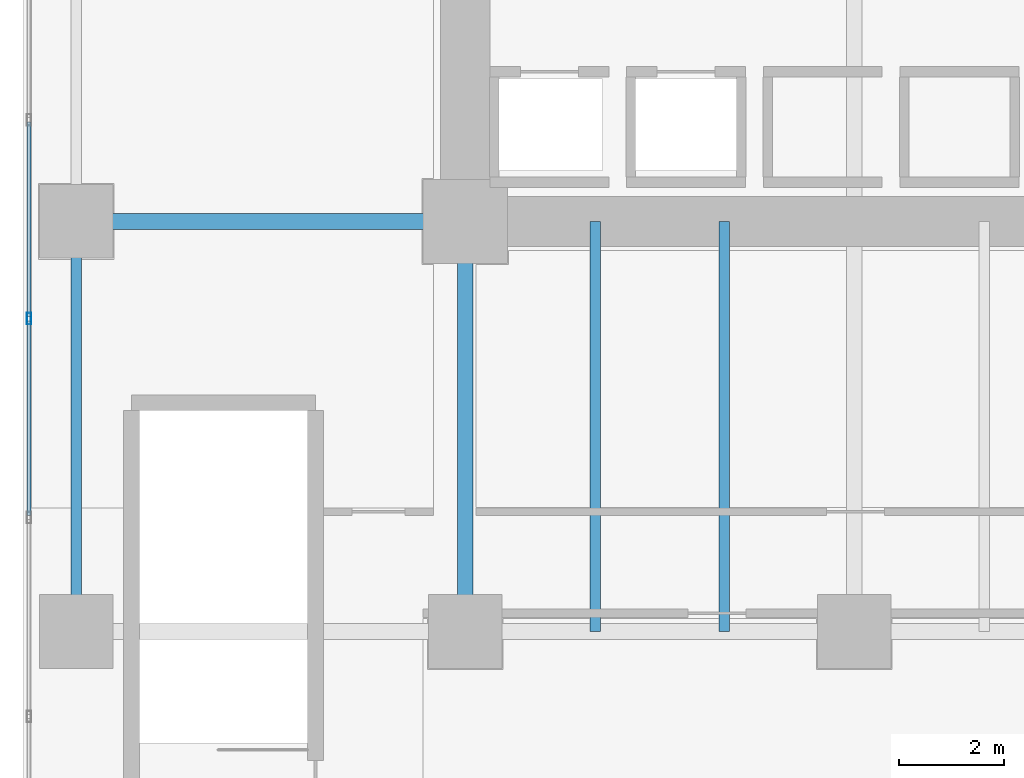
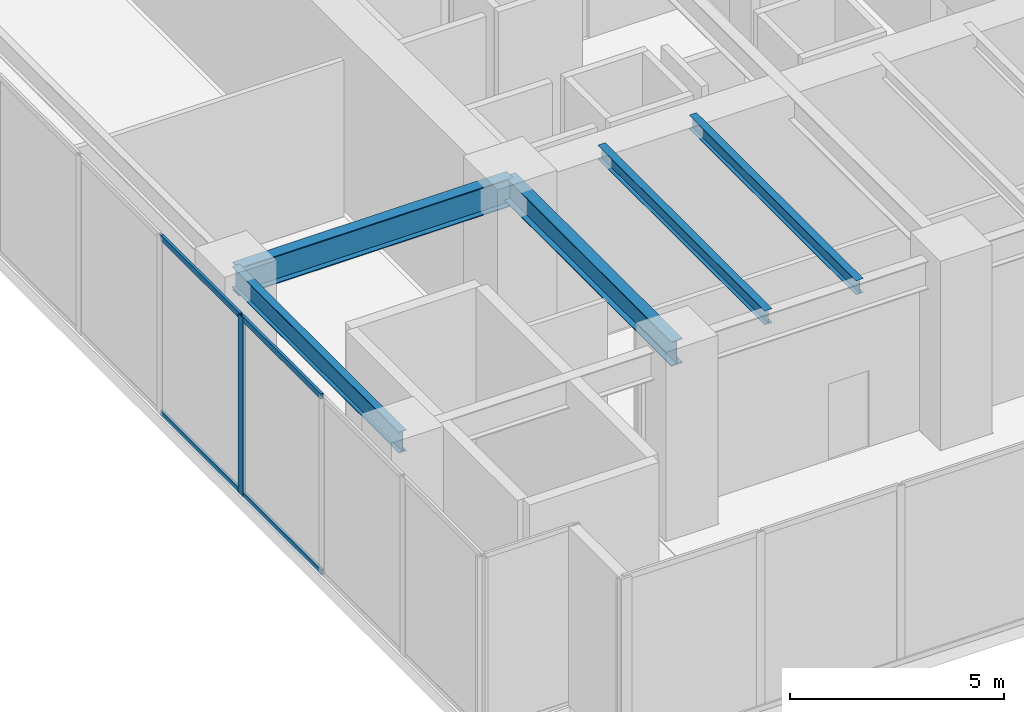
# One storey, part 3 of 35: 5 beams, 5 members, 1 element without a shape of its own.
"""IFC4 building model written with IfcOpenShell, lengths in metres."""

from ifc_helpers import new_model, si_unit, direction, frame, origin, origin_2d, place, context, subcontext, project, spatial, hollow_rectangle, i_section, extrude, source, transform, mapped, material, layer, layer_set, material_profile, profile_set, type_object, type_shapes, element, aggregate, save


model = new_model("IFC4")

# Units and contexts
model_context = context("Model", 3, precision=1e-05, world=origin(), true_north=direction((0.0, 1.0)))
body_context = subcontext(model_context, "Body", "Model", "MODEL_VIEW")
ifc_project = project(units=[si_unit("LENGTHUNIT", "METRE"), si_unit("AREAUNIT", "SQUARE_METRE"), si_unit("VOLUMEUNIT", "CUBIC_METRE"), si_unit("PLANEANGLEUNIT", "RADIAN"), si_unit("MASSUNIT", "GRAM", prefix="KILO")], contexts=[model_context])

# Site, building, storey
site_placement = place(None, origin())
site = spatial("IfcSite", under=ifc_project, at=site_placement, CompositionType="ELEMENT")
building_placement = place(site_placement, origin())
building = spatial("IfcBuilding", under=site, at=building_placement, Name="Haelvirn Gate Laboratories", CompositionType="ELEMENT")
storey_placement = place(building_placement, frame((0.0, 0.0, 19.800048828125)))
storey = spatial("IfcBuildingStorey", under=building, at=storey_placement, Name="L05", CompositionType="ELEMENT", Elevation=19.800048828125)

# Beams
ifc_material_1 = material(Name="Steel SM420", Category="steel")
ifc_material_profile_1 = material_profile(ifc_material_1, i_section(OverallWidth=0.300048828125, OverallDepth=0.800048828125, WebThickness=0.013916015625, FlangeThickness=0.02587890625, at=origin_2d()), Name="H-800x300x14x26")
ifc_profile_set_1 = profile_set([ifc_material_profile_1], Name="Steel SM420")
beam_type_1 = type_object("IfcBeamType", Name="BM-G-800", PredefinedType="BEAM", material=ifc_profile_set_1)
shared_shape_1 = source(origin(), body_context, "Body", "SweptSolid", [
    extrude(i_section(OverallWidth=0.300048828125, OverallDepth=0.800048828125, WebThickness=0.013916015625, FlangeThickness=0.02587890625, at=origin_2d()), origin(), (0.0, 0.0, 1.0), 7.39990234375),
])
type_shapes(beam_type_1, [shared_shape_1])
beam_1_placement = place(storey_placement, frame((0.0, 14.800048828125, 4.679931640625), z_axis=(1.0, 0.0, 0.0), x_axis=(0.0, 1.0, 0.0)))
element("IfcBeam", 1, at=beam_1_placement, inside=storey, type_object=beam_type_1, Name="L05 Primary Girder Y14.8 (0.0-7.4)", PredefinedType="BEAM", context=body_context, shape_type="MappedRepresentation", body=[
    mapped(shared_shape_1, transform((0.0, 0.0, 0.0), scale=1.0)),
])
ifc_material_2 = material(Name="Steel SM355", Category="steel")
ifc_material_profile_2 = material_profile(ifc_material_2, i_section(OverallWidth=0.199951171875, OverallDepth=0.60009765625, WebThickness=0.010986328125, FlangeThickness=0.01708984375, at=origin_2d()), Name="H-600x200x11x17")
ifc_profile_set_2 = profile_set([ifc_material_profile_2], Name="Steel SM355")
beam_type_2 = type_object("IfcBeamType", Name="BM-SP-600", PredefinedType="SPANDREL", material=ifc_profile_set_2)
shared_shape_2 = source(origin(), body_context, "Body", "SweptSolid", [
    extrude(i_section(OverallWidth=0.199951171875, OverallDepth=0.60009765625, WebThickness=0.010986328125, FlangeThickness=0.01708984375, at=origin_2d()), origin(), (0.0, 0.0, 1.0), 7.800048828125),
])
type_shapes(beam_type_2, [shared_shape_2])
beam_2_placement = place(storey_placement, frame((0.0, 7.0, 4.780029296875), z_axis=(0.0, 1.0, 0.0), x_axis=(-1.0, 0.0, 0.0)))
element("IfcBeam", 2, at=beam_2_placement, inside=storey, type_object=beam_type_2, Name="L05 Perimeter Spandrel X0.0 (7.0-14.8)", PredefinedType="SPANDREL", context=body_context, shape_type="MappedRepresentation", body=[
    mapped(shared_shape_2, transform((0.0, 0.0, 0.0), scale=1.0)),
])
ifc_material_profile_3 = material_profile(ifc_material_2, i_section(OverallWidth=0.199951171875, OverallDepth=0.39990234375, WebThickness=0.008056640625, FlangeThickness=0.012939453125, at=origin_2d()), Name="H-400x200x8x13")
ifc_profile_set_3 = profile_set([ifc_material_profile_3], Name="Steel SM355")
beam_type_3 = type_object("IfcBeamType", Name="BM-J-400", PredefinedType="JOIST", material=ifc_profile_set_3)
shared_shape_3 = source(origin(), body_context, "Body", "SweptSolid", [
    extrude(i_section(OverallWidth=0.199951171875, OverallDepth=0.39990234375, WebThickness=0.008056640625, FlangeThickness=0.012939453125, at=origin_2d()), origin(), (0.0, 0.0, 1.0), 7.800048828125),
])
type_shapes(beam_type_3, [shared_shape_3])
for number, where, z_axis, x_axis, name in (
    (3, (9.8701171875, 7.0, 4.8798828125), (0.0, 1.0, 0.0), (-1.0, 0.0, 0.0), "L05 Composite Lab Joist South X9.87"),
    (4, (12.330078125, 7.0, 4.8798828125), (0.0, 1.0, 0.0), (-1.0, 0.0, 0.0), "L05 Composite Lab Joist South X12.33"),
):
    element("IfcBeam", number, at=place(storey_placement, frame(where, z_axis=z_axis, x_axis=x_axis)), inside=storey, type_object=beam_type_3, Name=name, PredefinedType="JOIST", context=body_context, shape_type="MappedRepresentation", body=[
        mapped(shared_shape_3, transform((0.0, 0.0, 0.0), scale=1.0)),
    ])
ifc_material_profile_4 = material_profile(ifc_material_2, i_section(OverallWidth=0.300048828125, OverallDepth=0.699951171875, WebThickness=0.012939453125, FlangeThickness=0.02392578125, at=origin_2d()), Name="H-700x300x13x24")
ifc_profile_set_4 = profile_set([ifc_material_profile_4], Name="Steel SM355")
beam_type_4 = type_object("IfcBeamType", Name="BM-G-700", PredefinedType="BEAM", material=ifc_profile_set_4)
shared_shape_4 = source(origin(), body_context, "Body", "SweptSolid", [
    extrude(i_section(OverallWidth=0.300048828125, OverallDepth=0.699951171875, WebThickness=0.012939453125, FlangeThickness=0.02392578125, at=origin_2d()), origin(), (0.0, 0.0, 1.0), 7.800048828125),
])
type_shapes(beam_type_4, [shared_shape_4])
beam_3_placement = place(storey_placement, frame((7.39990234375, 7.0, 4.72998046875), z_axis=(0.0, 1.0, 0.0), x_axis=(-1.0, 0.0, 0.0)))
element("IfcBeam", 5, at=beam_3_placement, inside=storey, type_object=beam_type_4, Name="L05 Frame Girder X7.4 (7.0-14.8)", PredefinedType="BEAM", context=body_context, shape_type="MappedRepresentation", body=[
    mapped(shared_shape_4, transform((0.0, 0.0, 0.0), scale=1.0)),
])

# Curtain wall, members
ifc_material_3 = material(Name="Anodised bronze unitised aluminium & triple low-E glass", Category="aluminium")
ifc_layer = layer(ifc_material_3, 0.18798828125, Name="CW-SYS-1")
ifc_layer_set = layer_set([ifc_layer], Name="Anodised bronze unitised aluminium & triple low-E glass")
curtain_wall_type = type_object("IfcCurtainWallType", Name="CW-SYS-1", PredefinedType="NOTDEFINED", material=ifc_layer_set)
curtain_wall_placement = place(storey_placement, origin())
curtain_wall = element("IfcCurtainWall", 6, at=curtain_wall_placement, inside=storey, type_object=curtain_wall_type, Name="L05 Unitised Curtain Wall CW-L05-P0-E09", PredefinedType="NOTDEFINED")
ifc_material_4 = material(Name="Extruded aluminium 6063-T6 (anodised bronze)", Category="aluminium")
ifc_material_profile_5 = material_profile(ifc_material_4, hollow_rectangle(XDim=0.070068359375, YDim=0.159912109375, WallThickness=0.0048828125, at=origin_2d()), Name="CWT-160x70x5")
ifc_profile_set_5 = profile_set([ifc_material_profile_5], Name="Extruded aluminium 6063-T6 (anodised bronze)")
member_type_1 = type_object("IfcMemberType", Name="CWT-T160", PredefinedType="USERDEFINED", material=ifc_profile_set_5)
shared_shape_5 = source(origin(), body_context, "Body", "SweptSolid", [
    extrude(hollow_rectangle(XDim=0.070068359375, YDim=0.159912109375, WallThickness=0.0048828125, at=origin_2d()), origin(), (0.0, 0.0, 1.0), 3.703369140625),
])
member_1_placement = place(storey_placement, frame((-0.89990234375, 16.693359375, 0.034912109375), z_axis=(0.0, -1.0, 0.0), x_axis=(1.0, 0.0, 0.0)))
member_1 = element("IfcMember", 7, at=member_1_placement, type_object=member_type_1, Name="CW1 transom 9.1", ObjectType="TRANSOM", PredefinedType="USERDEFINED", context=body_context, shape_type="MappedRepresentation", body=[
    mapped(shared_shape_5, transform((0.0, 0.0, 0.0), scale=1.0)),
])
member_2_placement = place(storey_placement, frame((-0.89990234375, 16.693359375, 5.044921875), z_axis=(0.0, -1.0, 0.0), x_axis=(1.0, 0.0, 0.0)))
member_2 = element("IfcMember", 8, at=member_2_placement, type_object=member_type_1, Name="CW1 transom 9.2", ObjectType="TRANSOM", PredefinedType="USERDEFINED", context=body_context, shape_type="MappedRepresentation", body=[
    mapped(shared_shape_5, transform((0.0, 0.0, 0.0), scale=1.0)),
])
shared_shape_6 = source(origin(), body_context, "Body", "SweptSolid", [
    extrude(hollow_rectangle(XDim=0.070068359375, YDim=0.159912109375, WallThickness=0.0048828125, at=origin_2d()), origin(), (0.0, 0.0, 1.0), 3.703125),
])
type_shapes(member_type_1, [shared_shape_5, shared_shape_6])
member_3_placement = place(storey_placement, frame((-0.89990234375, 12.909912109375, 0.034912109375), z_axis=(0.0, -1.0, 0.0), x_axis=(1.0, 0.0, 0.0)))
member_3 = element("IfcMember", 9, at=member_3_placement, type_object=member_type_1, Name="CW1 transom 10.1", ObjectType="TRANSOM", PredefinedType="USERDEFINED", context=body_context, shape_type="MappedRepresentation", body=[
    mapped(shared_shape_6, transform((0.0, 0.0, 0.0), scale=1.0)),
])
member_4_placement = place(storey_placement, frame((-0.89990234375, 12.909912109375, 5.044921875), z_axis=(0.0, -1.0, 0.0), x_axis=(1.0, 0.0, 0.0)))
member_4 = element("IfcMember", 10, at=member_4_placement, type_object=member_type_1, Name="CW1 transom 10.2", ObjectType="TRANSOM", PredefinedType="USERDEFINED", context=body_context, shape_type="MappedRepresentation", body=[
    mapped(shared_shape_6, transform((0.0, 0.0, 0.0), scale=1.0)),
])
ifc_material_profile_6 = material_profile(ifc_material_4, hollow_rectangle(XDim=0.080078125, YDim=0.219970703125, WallThickness=0.006103515625, at=origin_2d()), Name="CWM-220x80x6")
ifc_profile_set_6 = profile_set([ifc_material_profile_6], Name="Extruded aluminium 6063-T6 (anodised bronze)")
member_type_2 = type_object("IfcMemberType", Name="CWM-T220", PredefinedType="MULLION", material=ifc_profile_set_6)
shared_shape_7 = source(origin(), body_context, "Body", "SweptSolid", [
    extrude(hollow_rectangle(XDim=0.080078125, YDim=0.219970703125, WallThickness=0.006103515625, at=origin_2d()), origin(), (0.0, 0.0, 1.0), 5.079833984375),
])
type_shapes(member_type_2, [shared_shape_7])
member_5_placement = place(storey_placement, frame((-0.89990234375, 12.949951171875, 0.0), z_axis=(0.0, 0.0, 1.0), x_axis=(1.0, 0.0, 0.0)))
member_5 = element("IfcMember", 11, at=member_5_placement, type_object=member_type_2, Name="CW1 mullion 10", PredefinedType="MULLION", context=body_context, shape_type="MappedRepresentation", body=[
    mapped(shared_shape_7, transform((0.0, 0.0, 0.0), scale=1.0)),
])
aggregate(curtain_wall, [member_5, member_1, member_2, member_3, member_4])

save(model, "model.ifc")
